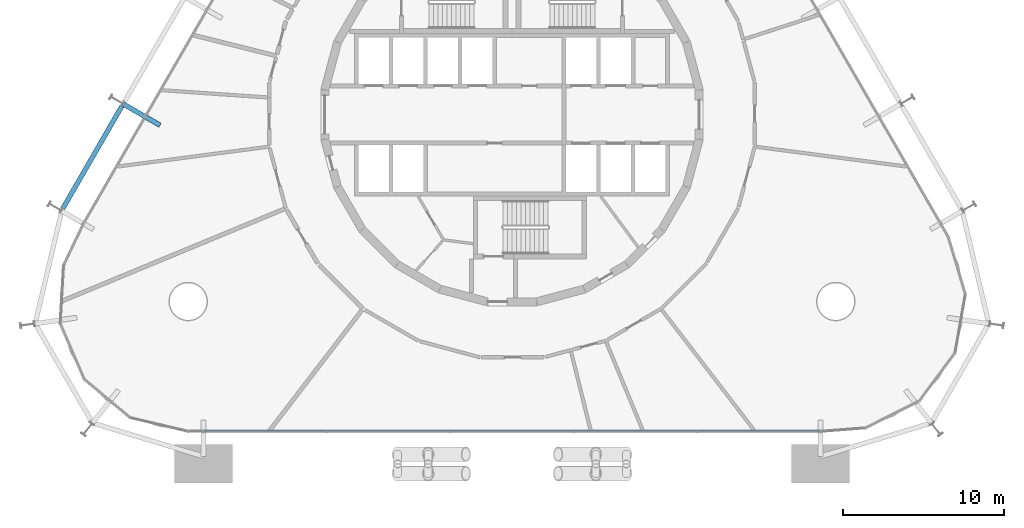
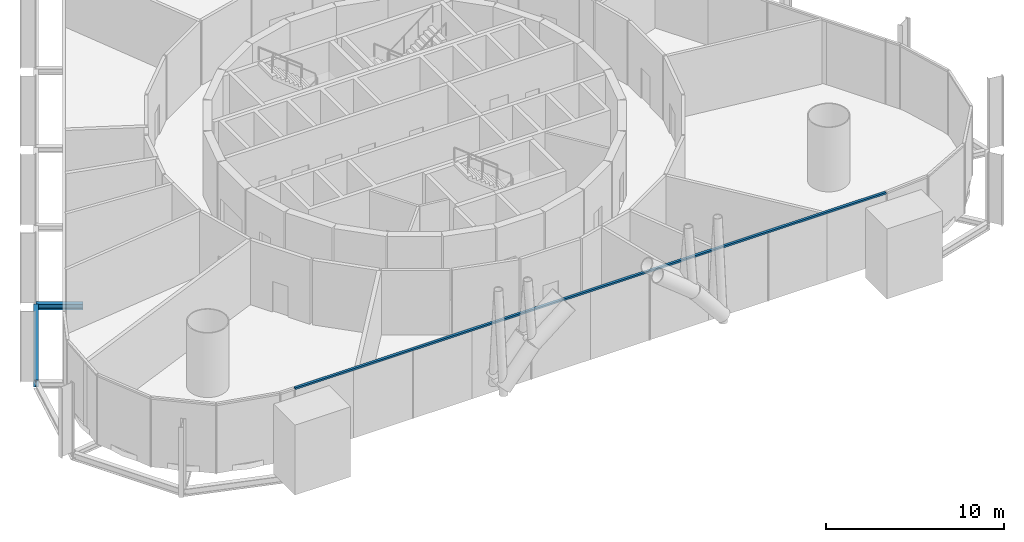
# One storey, part 4 of 17: 2 beams, 1 member, 1 element without a shape of its own.
"""IFC4 building model written with IfcOpenShell, lengths in metres."""

import ifcopenshell
import ifcopenshell.guid

model = None  # the IFC model being written
_history = None  # IfcOwnerHistory: only IFC2X3 demands one
_inside = {}  # id of a spatial element -> (the spatial element, [elements in it])
_under = {}  # id of a project, library or spatial element -> (it, [spatial elements below it])
_declared = {}  # id of a project -> (the project, [libraries it declares])
_typed = {}  # id of a type object -> (the type object, [elements of that type])
_made_of = {}  # id of a material, layer set ... -> (it, [elements and type objects made of it])


def new_model(schema):
    """Start an empty IFC model of exactly this schema.

    Asked for "IFC4X3", IfcOpenShell would pick the latest addendum, in which some entities
    have other attributes; the version numbers below select the first issue.
    IFC2X3 requires an IfcOwnerHistory on every rooted entity: one is made here for all.
    """
    global model, _history
    if schema == "IFC4X3":
        model = ifcopenshell.file(schema_version=(4, 3, 0, 0))
    else:
        model = ifcopenshell.file(schema=schema)
    _inside.clear()
    _under.clear()
    _declared.clear()
    _typed.clear()
    _made_of.clear()
    _history = None
    if model.schema == "IFC2X3":
        org = make("IfcOrganization", Name="unknown")
        user = make(
            "IfcPersonAndOrganization",
            ThePerson=make("IfcPerson", FamilyName="unknown"),
            TheOrganization=org,
        )
        app = make(
            "IfcApplication",
            ApplicationDeveloper=org,
            Version="unknown",
            ApplicationFullName="unknown",
            ApplicationIdentifier="unknown",
        )
        _history = make(
            "IfcOwnerHistory",
            OwningUser=user,
            OwningApplication=app,
            ChangeAction="ADDED",
            CreationDate=0,
        )
    return model


def make(cls, **values):
    """One entity of the class cls with the attributes given. An attribute that is None is left unset."""
    return model.create_entity(
        cls, **{name: value for name, value in values.items() if value is not None}
    )


def rooted(cls, **values):
    """An entity with a GlobalId (a new one), such as an element, a storey or a relation."""
    return make(cls, GlobalId=ifcopenshell.guid.new(), OwnerHistory=_history, **values)


def si_unit(unit_type, name, prefix=None):
    """IfcSIUnit, for example si_unit("LENGTHUNIT", "METRE", prefix="MILLI")."""
    return make("IfcSIUnit", UnitType=unit_type, Prefix=prefix, Name=name)


def assignment(units):
    """IfcUnitAssignment: the units of a project."""
    return None if units is None else make("IfcUnitAssignment", Units=units)


def point(xyz):
    """IfcCartesianPoint."""
    return None if xyz is None else make("IfcCartesianPoint", Coordinates=xyz)


def direction(xyz):
    """IfcDirection."""
    return None if xyz is None else make("IfcDirection", DirectionRatios=xyz)


def frame(location, z_axis=None, x_axis=None):
    """IfcAxis2Placement3D, a coordinate frame: its origin and axes. An axis left out is left unset."""
    return make(
        "IfcAxis2Placement3D",
        Location=point(location),
        Axis=direction(z_axis),
        RefDirection=direction(x_axis),
    )


def frame_2d(location, x_axis=None):
    """IfcAxis2Placement2D, a coordinate frame in the plane: its origin and x axis."""
    return make(
        "IfcAxis2Placement2D", Location=point(location), RefDirection=direction(x_axis)
    )


def origin():
    """The frame at (0, 0, 0) with its axes left unset."""
    return frame((0.0, 0.0, 0.0))


def origin_2d():
    """The frame at (0, 0) in the plane with its x axis left unset."""
    return frame_2d((0.0, 0.0))


def place(relative_to, where):
    """IfcLocalPlacement: puts the frame where relative to a parent placement (None: the world)."""
    return make(
        "IfcLocalPlacement", PlacementRelTo=relative_to, RelativePlacement=where
    )


def context(
    kind, dimensions, precision=None, world=None, true_north=None, identifier=None
):
    """IfcGeometricRepresentationContext, for example the 3D "Model" context."""
    return make(
        "IfcGeometricRepresentationContext",
        ContextIdentifier=identifier,
        ContextType=kind,
        CoordinateSpaceDimension=dimensions,
        Precision=precision,
        WorldCoordinateSystem=world,
        TrueNorth=true_north,
    )


def subcontext(parent, identifier, kind, view, scale=None):
    """IfcGeometricRepresentationSubContext, for example "Body" below "Model"."""
    return make(
        "IfcGeometricRepresentationSubContext",
        ContextIdentifier=identifier,
        ContextType=kind,
        ParentContext=parent,
        TargetScale=scale,
        TargetView=view,
    )


def project(units=None, contexts=None):
    """IfcProject with its units and contexts."""
    return rooted(
        "IfcProject",
        Name="project",
        RepresentationContexts=contexts,
        UnitsInContext=assignment(units),
    )


def spatial(cls, under=None, at=None, **own):
    """A site, building, storey or space (cls), placed at a placement, below another one or the project."""
    s = rooted(cls, ObjectPlacement=at, **own)
    if under is not None:
        _under.setdefault(under.id(), (under, []))[1].append(s)
    return s


def profile(cls, at=None, kind="AREA", **sizes):
    """A parametric profile (cls). Its sizes go by their IFC names, for example OverallWidth=200.0."""
    return make(cls, ProfileType=kind, Position=at, **sizes)


def rectangle(**sizes):
    """IfcRectangleProfileDef."""
    return profile("IfcRectangleProfileDef", **sizes)


def i_section(**sizes):
    """IfcIShapeProfileDef."""
    return profile("IfcIShapeProfileDef", **sizes)


def extrude(swept, where, along, depth):
    """IfcExtrudedAreaSolid: the profile swept, set in the frame where, extruded along a direction by depth."""
    return make(
        "IfcExtrudedAreaSolid",
        SweptArea=swept,
        Position=where,
        ExtrudedDirection=direction(along),
        Depth=depth,
    )


def shape(context_of_items, identifier, shape_type, items):
    """IfcShapeRepresentation: the items that make up one representation, for example the "Body"."""
    return make(
        "IfcShapeRepresentation",
        ContextOfItems=context_of_items,
        RepresentationIdentifier=identifier,
        RepresentationType=shape_type,
        Items=items,
    )


def material(Name=None, Category=None):
    """IfcMaterial."""
    return make("IfcMaterial", Name=Name, Category=Category)


def layer(
    of_material, thickness, ventilated=None, Name=None, Category=None, Priority=None
):
    """IfcMaterialLayer: one layer of a wall or slab, of a material (None: an air gap)."""
    return make(
        "IfcMaterialLayer",
        Material=of_material,
        LayerThickness=thickness,
        IsVentilated=ventilated,
        Name=Name,
        Category=Category,
        Priority=Priority,
    )


def layer_set(layers, Name=None):
    """IfcMaterialLayerSet."""
    return make("IfcMaterialLayerSet", MaterialLayers=layers, LayerSetName=Name)


def material_profile(
    of_material, cross_section, Name=None, Category=None, Priority=None
):
    """IfcMaterialProfile: a cross section and its material."""
    return make(
        "IfcMaterialProfile",
        Name=Name,
        Material=of_material,
        Profile=cross_section,
        Priority=Priority,
        Category=Category,
    )


def profile_set(profiles, Name=None, composite=None):
    """IfcMaterialProfileSet."""
    return make(
        "IfcMaterialProfileSet",
        Name=Name,
        MaterialProfiles=profiles,
        CompositeProfile=composite,
    )


def made_of(thing, what):
    """Note that an element or type object is made of a material, layer set ...; save() writes the relation."""
    if what is not None:
        _made_of.setdefault(what.id(), (what, []))[1].append(thing)
    return thing


def type_object(cls, material=None, **own):
    """A type object (cls), such as IfcWallType, which elements share."""
    return made_of(rooted(cls, **own), material)


def element(
    cls,
    number,
    at=None,
    inside=None,
    cuts=None,
    type_object=None,
    material=None,
    context=None,
    identifier="Body",
    shape_type=None,
    held_by="IfcProductDefinitionShape",
    body=None,
    shapes=None,
    **own,
):
    """One element of the class cls, such as IfcWall. Its Tag is "e" and its number.

    at: its placement. inside: the storey or other place that contains it. cuts: it is an
    opening in that element (IfcRelVoidsElement). A single representation is given by context,
    identifier, shape_type and body (its items); several are given by shapes. held_by: the class
    of the entity that holds the representations. save() writes the other relations.
    """
    e = rooted(cls, Tag="e%d" % number, ObjectPlacement=at, **own)
    if body is not None:
        shapes = [shape(context, identifier, shape_type, body)]
    if shapes is not None:
        e.Representation = make(held_by, Representations=shapes)
    if inside is not None:
        _inside.setdefault(inside.id(), (inside, []))[1].append(e)
    if cuts is not None:
        rooted(
            "IfcRelVoidsElement", RelatingBuildingElement=cuts, RelatedOpeningElement=e
        )
    if type_object is not None:
        _typed.setdefault(type_object.id(), (type_object, []))[1].append(e)
    return made_of(e, material)


def aggregate(whole, parts):
    """IfcRelAggregates: a whole, such as a stair, and the parts it consists of."""
    return rooted("IfcRelAggregates", RelatingObject=whole, RelatedObjects=parts)


def save(model, path):
    """Write the relations noted so far, then the file.

    IfcRelAggregates (storeys below a building ...), IfcRelContainedInSpatialStructure (elements
    in a storey), IfcRelDefinesByType, IfcRelAssociatesMaterial and IfcRelDeclares: one each for
    every whole, place, type object, material and project.
    """
    for whole, parts in _under.values():
        aggregate(whole, parts)
    for where, things in _inside.values():
        rooted(
            "IfcRelContainedInSpatialStructure",
            RelatedElements=things,
            RelatingStructure=where,
        )
    for kind, things in _typed.values():
        rooted("IfcRelDefinesByType", RelatedObjects=things, RelatingType=kind)
    for what, things in _made_of.values():
        rooted("IfcRelAssociatesMaterial", RelatedObjects=things, RelatingMaterial=what)
    for by, libraries in _declared.values():
        rooted("IfcRelDeclares", RelatingContext=by, RelatedDefinitions=libraries)
    model.write(path)


model = new_model("IFC4")

# Units and contexts
model_context = context("Model", 3, precision=1e-05, world=origin(), true_north=direction((0.0, 1.0)))
body_context = subcontext(model_context, "Body", "Model", "MODEL_VIEW")
ifc_project = project(units=[si_unit("LENGTHUNIT", "METRE"), si_unit("AREAUNIT", "SQUARE_METRE"), si_unit("VOLUMEUNIT", "CUBIC_METRE"), si_unit("PLANEANGLEUNIT", "RADIAN"), si_unit("MASSUNIT", "GRAM", prefix="KILO")], contexts=[model_context])

# Site, building, storey
site_placement = place(None, origin())
site = spatial("IfcSite", under=ifc_project, at=site_placement, CompositionType="ELEMENT")
building_placement = place(site_placement, origin())
building = spatial("IfcBuilding", under=site, at=building_placement, Name="Spindle Arch Residences", CompositionType="ELEMENT")
storey_placement = place(building_placement, frame((0.0, 0.0, 23.39990234375)))
storey = spatial("IfcBuildingStorey", under=building, at=storey_placement, Name="L04", CompositionType="ELEMENT", Elevation=23.39990234375)

# Curtain wall, member
ifc_material_1 = material(Name="Aluminium bronze unitised frame with tinted glass", Category="aluminium")
ifc_layer = layer(ifc_material_1, 0.159912109375)
ifc_layer_set = layer_set([ifc_layer], Name="CW-B amenity podium glazed wall")
curtain_wall_type = type_object("IfcCurtainWallType", Name="CW-B amenity podium glazed wall", PredefinedType="NOTDEFINED", material=ifc_layer_set)
curtain_wall_placement = place(storey_placement, origin())
curtain_wall = element("IfcCurtainWall", 1, at=curtain_wall_placement, inside=storey, type_object=curtain_wall_type, Name="CW-B L04 run 6", PredefinedType="NOTDEFINED")
ifc_material_2 = material(Name="Aluminium bronze anodised transom", Category="aluminium")
ifc_material_profile_1 = material_profile(ifc_material_2, rectangle(XDim=0.159912109375, YDim=0.1201171875, at=origin_2d()), Name="TR 120x160")
ifc_profile_set_1 = profile_set([ifc_material_profile_1], Name="Aluminium bronze anodised transom")
member_type = type_object("IfcMemberType", Name="Bronze transom 120x160", PredefinedType="USERDEFINED", material=ifc_profile_set_1)
member_placement = place(storey_placement, frame((-19.170166015625, -19.7099609375, 4.360107421875), z_axis=(1.0, 0.0, 0.0), x_axis=(0.0, 1.0, 0.0)))
member = element("IfcMember", 2, at=member_placement, type_object=member_type, Name="CW-B transom 00", ObjectType="TRANSOM", PredefinedType="USERDEFINED", context=body_context, shape_type="SweptSolid", body=[
    extrude(rectangle(XDim=0.159912109375, YDim=0.1201171875, at=origin_2d()), origin(), (0.0, 0.0, 1.0), 38.34033203125),
])
aggregate(curtain_wall, [member])

# Beams
ifc_material_3 = material(Name="Steel S460ML, intumescent coating R 120", Category="steel")
ifc_material_profile_2 = material_profile(ifc_material_3, i_section(OverallWidth=0.300048828125, OverallDepth=0.5, WebThickness=0.014404296875, FlangeThickness=0.028076171875, FilletRadius=0.027099609375, at=origin_2d()), Name="HEB 500")
ifc_profile_set_2 = profile_set([ifc_material_profile_2], Name="Steel S460ML, intumescent coating R 120")
beam_type_1 = type_object("IfcBeamType", Name="Exoskeleton edge beam HEB 500", PredefinedType="BEAM", material=ifc_profile_set_2)
beam_1_placement = place(storey_placement, frame((-24.25390625, 0.550537109375, -0.6298828125), z_axis=(-0.50002815445, -0.866009148195, 0.0), x_axis=(0.866009148195, -0.50002815445, 0.0)))
element("IfcBeam", 3, at=beam_1_placement, inside=storey, type_object=beam_type_1, Name="Exoskeleton edge beam 18", PredefinedType="BEAM", context=body_context, shape_type="SweptSolid", body=[
    extrude(i_section(OverallWidth=0.300048828125, OverallDepth=0.5, WebThickness=0.014404296875, FlangeThickness=0.028076171875, FilletRadius=0.027099609375, at=origin_2d()), origin(), (0.0, 0.0, 1.0), 7.419921875),
])
ifc_material_4 = material(Name="Steel S460ML, intumescent coating R 120", Category="steel")
ifc_material_profile_3 = material_profile(ifc_material_4, i_section(OverallWidth=0.300048828125, OverallDepth=0.389892578125, WebThickness=0.010986328125, FlangeThickness=0.01904296875, FilletRadius=0.027099609375, at=origin_2d()), Name="HEA 400")
ifc_profile_set_3 = profile_set([ifc_material_profile_3], Name="Steel S460ML, intumescent coating R 120")
beam_type_2 = type_object("IfcBeamType", Name="Floor outrigger HEA 400", PredefinedType="BEAM", material=ifc_profile_set_3)
beam_2_placement = place(storey_placement, frame((-24.18896484375, 0.6630859375, -0.574951171875), z_axis=(0.866029095148, -0.499993606316, 0.0), x_axis=(0.499993606316, 0.866029095148, 0.0)))
element("IfcBeam", 4, at=beam_2_placement, inside=storey, type_object=beam_type_2, Name="Floor outrigger 18", PredefinedType="BEAM", context=body_context, shape_type="SweptSolid", body=[
    extrude(i_section(OverallWidth=0.300048828125, OverallDepth=0.389892578125, WebThickness=0.010986328125, FlangeThickness=0.01904296875, FilletRadius=0.027099609375, at=origin_2d()), origin(), (0.0, 0.0, 1.0), 2.64990234375),
])

save(model, "model.ifc")
